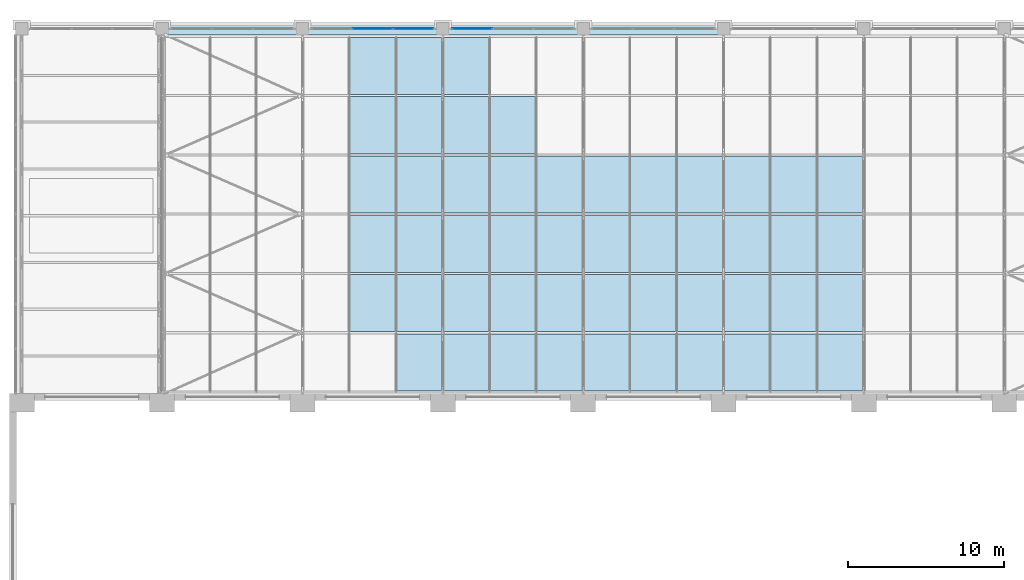
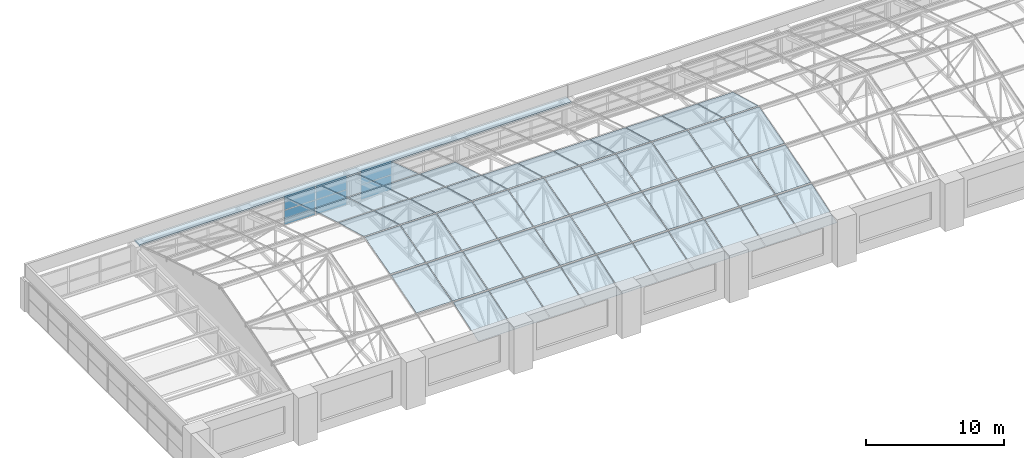
# One storey, part 47 of 82: 56 plates, 1 slab, 3 elements without a shape of their own.
"""IFC4 building model written with IfcOpenShell, lengths in metres."""

from ifc_helpers import new_model, si_unit, direction, frame, origin, origin_2d, place, context, subcontext, project, spatial, polyline, rectangle, outline, extrude, material, layer, layer_set, type_object, element, aggregate, save


model = new_model("IFC4")

# Units and contexts
model_context = context("Model", 3, precision=1e-05, world=origin(), true_north=direction((0.0, 1.0)))
body_context = subcontext(model_context, "Body", "Model", "MODEL_VIEW")
ifc_project = project(units=[si_unit("LENGTHUNIT", "METRE"), si_unit("AREAUNIT", "SQUARE_METRE"), si_unit("VOLUMEUNIT", "CUBIC_METRE"), si_unit("PLANEANGLEUNIT", "RADIAN"), si_unit("MASSUNIT", "GRAM", prefix="KILO")], contexts=[model_context])

# Site, building, storey
site_placement = place(None, origin())
site = spatial("IfcSite", under=ifc_project, at=site_placement, CompositionType="ELEMENT")
building_placement = place(site_placement, origin())
building = spatial("IfcBuilding", under=site, at=building_placement, Name="Aravalli Gate Trade Fair Centre", CompositionType="ELEMENT")
storey_placement = place(building_placement, frame((0.0, 0.0, 19.199951171875)))
storey = spatial("IfcBuildingStorey", under=building, at=storey_placement, Name="L04", CompositionType="ELEMENT", Elevation=19.199951171875)

# Slab
ifc_material_1 = material(Name="Concrete M30", Category="concrete")
ifc_layer_1 = layer(ifc_material_1, 0.1201171875, Name="Concrete topping")
ifc_material_2 = material(Name="Steel E350", Category="steel")
ifc_layer_2 = layer(ifc_material_2, 0.030029296875, Name="Profiled deck sheet")
ifc_layer_set_1 = layer_set([ifc_layer_1, ifc_layer_2], Name="Concourse roof deck 150")
slab_type = type_object("IfcSlabType", Name="Concourse roof deck 150", PredefinedType="ROOF", material=ifc_layer_set_1)
slab_placement = place(storey_placement, frame((0.0, 0.0, 2.699951171875)))
element("IfcSlab", 1, at=slab_placement, inside=storey, type_object=slab_type, Name="Concourse eaves deck 1", PredefinedType="ROOF", context=body_context, shape_type="SweptSolid", body=[
    extrude(outline(polyline([(14.89990234375, 132.60009765625), (50.97998046875, 132.60009765625), (50.97998046875, 133.39990234375), (14.89990234375, 133.39990234375), (14.89990234375, 132.60009765625)])), origin(), (0.0, 0.0, 1.0), 0.150146484375),
])

# Curtain wall, plates
ifc_material_3 = material(Name="Aluminium and glass", Category="aluminium")
curtain_wall_type_1 = type_object("IfcCurtainWallType", Name="Curtain wall 3000 module", PredefinedType="NOTDEFINED", material=ifc_material_3)
curtain_wall_1_placement = place(storey_placement, origin())
curtain_wall_1 = element("IfcCurtainWall", 2, at=curtain_wall_1_placement, inside=storey, type_object=curtain_wall_type_1, Name="Curtain wall north bay 3 L04", PredefinedType="NOTDEFINED")
ifc_material_4 = material(Name="Glass, double glazed", Category="glass")
ifc_layer_3 = layer(ifc_material_4, 0.028076171875)
ifc_layer_set_2 = layer_set([ifc_layer_3], Name="Glass, double glazed")
plate_type_1 = type_object("IfcPlateType", Name="Curtain wall panel, double glazed 28", PredefinedType="CURTAIN_PANEL", material=ifc_layer_set_2)
plate_1_placement = place(storey_placement, frame((28.5, 133.0, 0.06005859375), z_axis=(0.0, 0.0, 1.0), x_axis=(1.0, 0.0, 0.0)))
plate_1 = element("IfcPlate", 3, at=plate_1_placement, type_object=plate_type_1, Name="CW1 panel 2.1", PredefinedType="CURTAIN_PANEL", context=body_context, shape_type="SweptSolid", body=[
    extrude(rectangle(XDim=2.5732421875, YDim=0.028076171875, at=origin_2d()), origin(), (0.0, 0.0, 1.0), 1.260009765625),
])
plate_2_placement = place(storey_placement, frame((28.5, 133.0, 1.3798828125), z_axis=(0.0, 0.0, 1.0), x_axis=(1.0, 0.0, 0.0)))
plate_2 = element("IfcPlate", 4, at=plate_2_placement, type_object=plate_type_1, Name="CW1 panel 2.2", PredefinedType="CURTAIN_PANEL", context=body_context, shape_type="SweptSolid", body=[
    extrude(rectangle(XDim=2.5732421875, YDim=0.028076171875, at=origin_2d()), origin(), (0.0, 0.0, 1.0), 1.260009765625),
])
plate_3_placement = place(storey_placement, frame((31.118408203125, 133.0, 0.06005859375), z_axis=(0.0, 0.0, 1.0), x_axis=(1.0, 0.0, 0.0)))
plate_3 = element("IfcPlate", 5, at=plate_3_placement, type_object=plate_type_1, Name="CW1 panel 3.1", PredefinedType="CURTAIN_PANEL", context=body_context, shape_type="SweptSolid", body=[
    extrude(rectangle(XDim=2.543212890625, YDim=0.028076171875, at=origin_2d()), origin(), (0.0, 0.0, 1.0), 1.260009765625),
])
plate_4_placement = place(storey_placement, frame((31.118408203125, 133.0, 1.3798828125), z_axis=(0.0, 0.0, 1.0), x_axis=(1.0, 0.0, 0.0)))
plate_4 = element("IfcPlate", 6, at=plate_4_placement, type_object=plate_type_1, Name="CW1 panel 3.2", PredefinedType="CURTAIN_PANEL", context=body_context, shape_type="SweptSolid", body=[
    extrude(rectangle(XDim=2.543212890625, YDim=0.028076171875, at=origin_2d()), origin(), (0.0, 0.0, 1.0), 1.260009765625),
])
aggregate(curtain_wall_1, [plate_1, plate_2, plate_3, plate_4])

curtain_wall_2_placement = place(storey_placement, origin())
curtain_wall_2 = element("IfcCurtainWall", 7, at=curtain_wall_2_placement, inside=storey, type_object=curtain_wall_type_1, Name="Curtain wall north bay 4 L04", PredefinedType="NOTDEFINED")
plate_5_placement = place(storey_placement, frame((34.881591796875, 133.0, 0.06005859375), z_axis=(0.0, 0.0, 1.0), x_axis=(1.0, 0.0, 0.0)))
plate_5 = element("IfcPlate", 8, at=plate_5_placement, type_object=plate_type_1, Name="CW1 panel 1.1", PredefinedType="CURTAIN_PANEL", context=body_context, shape_type="SweptSolid", body=[
    extrude(rectangle(XDim=2.543212890625, YDim=0.028076171875, at=origin_2d()), origin(), (0.0, 0.0, 1.0), 1.260009765625),
])
plate_6_placement = place(storey_placement, frame((34.881591796875, 133.0, 1.3798828125), z_axis=(0.0, 0.0, 1.0), x_axis=(1.0, 0.0, 0.0)))
plate_6 = element("IfcPlate", 9, at=plate_6_placement, type_object=plate_type_1, Name="CW1 panel 1.2", PredefinedType="CURTAIN_PANEL", context=body_context, shape_type="SweptSolid", body=[
    extrude(rectangle(XDim=2.543212890625, YDim=0.028076171875, at=origin_2d()), origin(), (0.0, 0.0, 1.0), 1.260009765625),
])
aggregate(curtain_wall_2, [plate_5, plate_6])

curtain_wall_type_2 = type_object("IfcCurtainWallType", Name="Vault curtain wall, sloped glazing", PredefinedType="NOTDEFINED", material=ifc_material_3)
curtain_wall_3_placement = place(storey_placement, origin())
curtain_wall_3 = element("IfcCurtainWall", 10, at=curtain_wall_3_placement, inside=storey, type_object=curtain_wall_type_2, Name="Vault curtain wall w", PredefinedType="NOTDEFINED")
ifc_material_5 = material(Name="Glass, laminated double glazed", Category="glass")
ifc_layer_4 = layer(ifc_material_5, 0.028076171875)
ifc_layer_set_3 = layer_set([ifc_layer_4], Name="Glass, laminated double glazed")
plate_type_2 = type_object("IfcPlateType", Name="Vault glazing panel, facet class 1", PredefinedType="CURTAIN_PANEL", material=ifc_layer_set_3)
plate_7_placement = place(storey_placement, frame((27.030029296875, 128.77001953125, 4.0771484375), z_axis=(0.0, 0.312518472278, 0.949911682466), x_axis=(1.0, 0.0, 0.0)))
plate_7 = element("IfcPlate", 11, at=plate_7_placement, type_object=plate_type_2, Name="Vault glazing w5.6", PredefinedType="CURTAIN_PANEL", context=body_context, shape_type="SweptSolid", body=[
    extrude(outline(polyline([(0.0, 0.0), (2.93994140625, 0.0), (2.93994140625, 3.852897250273449), (0.0, 3.852897250273449), (0.0, 0.0)])), origin(), (0.0, 0.0, -1.0), 0.028076171875),
])
plate_8_placement = place(storey_placement, frame((30.030029296875, 109.77001953125, 2.873046875), z_axis=(0.0, -0.312518472278, 0.949911682466), x_axis=(1.0, 0.0, 0.0)))
plate_8 = element("IfcPlate", 12, at=plate_8_placement, type_object=plate_type_2, Name="Vault glazing w6.1", PredefinedType="CURTAIN_PANEL", context=body_context, shape_type="SweptSolid", body=[
    extrude(outline(polyline([(0.0, 0.0), (2.93994140625, 0.0), (2.93994140625, 3.852897250273449), (0.0, 3.852897250273449), (0.0, 0.0)])), origin(), (0.0, 0.0, -1.0), 0.028076171875),
])
plate_9_placement = place(storey_placement, frame((30.030029296875, 128.77001953125, 4.0771484375), z_axis=(0.0, 0.312518472278, 0.949911682466), x_axis=(1.0, 0.0, 0.0)))
plate_9 = element("IfcPlate", 13, at=plate_9_placement, type_object=plate_type_2, Name="Vault glazing w6.6", PredefinedType="CURTAIN_PANEL", context=body_context, shape_type="SweptSolid", body=[
    extrude(outline(polyline([(0.0, 0.0), (2.93994140625, 0.0), (2.93994140625, 3.852897250273449), (0.0, 3.852897250273449), (0.0, 0.0)])), origin(), (0.0, 0.0, -1.0), 0.028076171875),
])
plate_10_placement = place(storey_placement, frame((33.030029296875, 109.77001953125, 2.873046875), z_axis=(0.0, -0.312518472278, 0.949911682466), x_axis=(1.0, 0.0, 0.0)))
plate_10 = element("IfcPlate", 14, at=plate_10_placement, type_object=plate_type_2, Name="Vault glazing w7.1", PredefinedType="CURTAIN_PANEL", context=body_context, shape_type="SweptSolid", body=[
    extrude(outline(polyline([(0.0, 0.0), (2.93994140625, 0.0), (2.93994140625, 3.852897250273449), (0.0, 3.852897250273449), (0.0, 0.0)])), origin(), (0.0, 0.0, -1.0), 0.028076171875),
])
plate_11_placement = place(storey_placement, frame((33.030029296875, 128.77001953125, 4.0771484375), z_axis=(0.0, 0.312518472278, 0.949911682466), x_axis=(1.0, 0.0, 0.0)))
plate_11 = element("IfcPlate", 15, at=plate_11_placement, type_object=plate_type_2, Name="Vault glazing w7.6", PredefinedType="CURTAIN_PANEL", context=body_context, shape_type="SweptSolid", body=[
    extrude(outline(polyline([(0.0, 0.0), (2.93994140625, 0.0), (2.93994140625, 3.852897250273449), (0.0, 3.852897250273449), (0.0, 0.0)])), origin(), (0.0, 0.0, -1.0), 0.028076171875),
])
plate_12_placement = place(storey_placement, frame((36.030029296875, 109.77001953125, 2.873046875), z_axis=(0.0, -0.312518472278, 0.949911682466), x_axis=(1.0, 0.0, 0.0)))
plate_12 = element("IfcPlate", 16, at=plate_12_placement, type_object=plate_type_2, Name="Vault glazing w8.1", PredefinedType="CURTAIN_PANEL", context=body_context, shape_type="SweptSolid", body=[
    extrude(outline(polyline([(0.0, 0.0), (2.93994140625, 0.0), (2.93994140625, 3.852897250273449), (0.0, 3.852897250273449), (0.0, 0.0)])), origin(), (0.0, 0.0, -1.0), 0.028076171875),
])
plate_13_placement = place(storey_placement, frame((39.030029296875, 109.77001953125, 2.873046875), z_axis=(0.0, -0.312518472278, 0.949911682466), x_axis=(1.0, 0.0, 0.0)))
plate_13 = element("IfcPlate", 17, at=plate_13_placement, type_object=plate_type_2, Name="Vault glazing w9.1", PredefinedType="CURTAIN_PANEL", context=body_context, shape_type="SweptSolid", body=[
    extrude(outline(polyline([(0.0, 0.0), (2.93994140625, 0.0), (2.93994140625, 3.852897250273449), (0.0, 3.852897250273449), (0.0, 0.0)])), origin(), (0.0, 0.0, -1.0), 0.028076171875),
])
plate_14_placement = place(storey_placement, frame((42.030029296875, 109.77001953125, 2.873046875), z_axis=(0.0, -0.312518472278, 0.949911682466), x_axis=(1.0, 0.0, 0.0)))
plate_14 = element("IfcPlate", 18, at=plate_14_placement, type_object=plate_type_2, Name="Vault glazing w10.1", PredefinedType="CURTAIN_PANEL", context=body_context, shape_type="SweptSolid", body=[
    extrude(outline(polyline([(0.0, 0.0), (2.93994140625, 0.0), (2.93994140625, 3.852897250273449), (0.0, 3.852897250273449), (0.0, 0.0)])), origin(), (0.0, 0.0, -1.0), 0.028076171875),
])
plate_15_placement = place(storey_placement, frame((45.030029296875, 109.77001953125, 2.873046875), z_axis=(0.0, -0.312518472278, 0.949911682466), x_axis=(1.0, 0.0, 0.0)))
plate_15 = element("IfcPlate", 19, at=plate_15_placement, type_object=plate_type_2, Name="Vault glazing w11.1", PredefinedType="CURTAIN_PANEL", context=body_context, shape_type="SweptSolid", body=[
    extrude(outline(polyline([(0.0, 0.0), (2.93994140625, 0.0), (2.93994140625, 3.852897250273449), (0.0, 3.852897250273449), (0.0, 0.0)])), origin(), (0.0, 0.0, -1.0), 0.028076171875),
])
plate_16_placement = place(storey_placement, frame((48.030029296875, 109.77001953125, 2.873046875), z_axis=(0.0, -0.312518472278, 0.949911682466), x_axis=(1.0, 0.0, 0.0)))
plate_16 = element("IfcPlate", 20, at=plate_16_placement, type_object=plate_type_2, Name="Vault glazing w12.1", PredefinedType="CURTAIN_PANEL", context=body_context, shape_type="SweptSolid", body=[
    extrude(outline(polyline([(0.0, 0.0), (2.93994140625, 0.0), (2.93994140625, 3.852897250273449), (0.0, 3.852897250273449), (0.0, 0.0)])), origin(), (0.0, 0.0, -1.0), 0.028076171875),
])
plate_17_placement = place(storey_placement, frame((51.030029296875, 109.77001953125, 2.873046875), z_axis=(0.0, -0.312518472278, 0.949911682466), x_axis=(1.0, 0.0, 0.0)))
plate_17 = element("IfcPlate", 21, at=plate_17_placement, type_object=plate_type_2, Name="Vault glazing w13.1", PredefinedType="CURTAIN_PANEL", context=body_context, shape_type="SweptSolid", body=[
    extrude(outline(polyline([(0.0, 0.0), (2.93994140625, 0.0), (2.93994140625, 3.852897250273449), (0.0, 3.852897250273449), (0.0, 0.0)])), origin(), (0.0, 0.0, -1.0), 0.028076171875),
])
plate_18_placement = place(storey_placement, frame((54.030029296875, 109.77001953125, 2.873046875), z_axis=(0.0, -0.312518472278, 0.949911682466), x_axis=(1.0, 0.0, 0.0)))
plate_18 = element("IfcPlate", 22, at=plate_18_placement, type_object=plate_type_2, Name="Vault glazing w14.1", PredefinedType="CURTAIN_PANEL", context=body_context, shape_type="SweptSolid", body=[
    extrude(outline(polyline([(0.0, 0.0), (2.93994140625, 0.0), (2.93994140625, 3.852897250273449), (0.0, 3.852897250273449), (0.0, 0.0)])), origin(), (0.0, 0.0, -1.0), 0.028076171875),
])
plate_19_placement = place(storey_placement, frame((57.030029296875, 109.77001953125, 2.873046875), z_axis=(0.0, -0.312518472278, 0.949911682466), x_axis=(1.0, 0.0, 0.0)))
plate_19 = element("IfcPlate", 23, at=plate_19_placement, type_object=plate_type_2, Name="Vault glazing w15.1", PredefinedType="CURTAIN_PANEL", context=body_context, shape_type="SweptSolid", body=[
    extrude(outline(polyline([(0.0, 0.0), (2.93994140625, 0.0), (2.93994140625, 3.852897250273449), (0.0, 3.852897250273449), (0.0, 0.0)])), origin(), (0.0, 0.0, -1.0), 0.028076171875),
])
ifc_layer_5 = layer(ifc_material_5, 0.028076171875)
ifc_layer_set_4 = layer_set([ifc_layer_5], Name="Glass, laminated double glazed")
plate_type_3 = type_object("IfcPlateType", Name="Vault glazing panel, facet class 2", PredefinedType="CURTAIN_PANEL", material=ifc_layer_set_4)
plate_20_placement = place(storey_placement, frame((27.030029296875, 113.570068359375, 4.121337890625), z_axis=(0.0, -0.289613973345, 0.957143534922), x_axis=(1.0, 0.0, 0.0)))
plate_20 = element("IfcPlate", 24, at=plate_20_placement, type_object=plate_type_3, Name="Vault glazing w5.2", PredefinedType="CURTAIN_PANEL", context=body_context, shape_type="SweptSolid", body=[
    extrude(outline(polyline([(0.0, 0.0), (2.93994140625, 0.0), (2.93994140625, 3.8237860632595906), (0.0, 3.8237860632595906), (0.0, 0.0)])), origin(), (0.0, 0.0, -1.0), 0.028076171875),
])
plate_21_placement = place(storey_placement, frame((27.030029296875, 124.969970703125, 5.228759765625), z_axis=(0.0, 0.289613973345, 0.957143534922), x_axis=(1.0, 0.0, 0.0)))
plate_21 = element("IfcPlate", 25, at=plate_21_placement, type_object=plate_type_3, Name="Vault glazing w5.5", PredefinedType="CURTAIN_PANEL", context=body_context, shape_type="SweptSolid", body=[
    extrude(outline(polyline([(0.0, 0.0), (2.93994140625, 0.0), (2.93994140625, 3.8237860632595906), (0.0, 3.8237860632595906), (0.0, 0.0)])), origin(), (0.0, 0.0, -1.0), 0.028076171875),
])
plate_22_placement = place(storey_placement, frame((30.030029296875, 113.570068359375, 4.121337890625), z_axis=(0.0, -0.289613973345, 0.957143534922), x_axis=(1.0, 0.0, 0.0)))
plate_22 = element("IfcPlate", 26, at=plate_22_placement, type_object=plate_type_3, Name="Vault glazing w6.2", PredefinedType="CURTAIN_PANEL", context=body_context, shape_type="SweptSolid", body=[
    extrude(outline(polyline([(0.0, 0.0), (2.93994140625, 0.0), (2.93994140625, 3.8237860632595906), (0.0, 3.8237860632595906), (0.0, 0.0)])), origin(), (0.0, 0.0, -1.0), 0.028076171875),
])
plate_23_placement = place(storey_placement, frame((30.030029296875, 124.969970703125, 5.228759765625), z_axis=(0.0, 0.289613973345, 0.957143534922), x_axis=(1.0, 0.0, 0.0)))
plate_23 = element("IfcPlate", 27, at=plate_23_placement, type_object=plate_type_3, Name="Vault glazing w6.5", PredefinedType="CURTAIN_PANEL", context=body_context, shape_type="SweptSolid", body=[
    extrude(outline(polyline([(0.0, 0.0), (2.93994140625, 0.0), (2.93994140625, 3.8237860632595906), (0.0, 3.8237860632595906), (0.0, 0.0)])), origin(), (0.0, 0.0, -1.0), 0.028076171875),
])
plate_24_placement = place(storey_placement, frame((33.030029296875, 113.570068359375, 4.121337890625), z_axis=(0.0, -0.289613973345, 0.957143534922), x_axis=(1.0, 0.0, 0.0)))
plate_24 = element("IfcPlate", 28, at=plate_24_placement, type_object=plate_type_3, Name="Vault glazing w7.2", PredefinedType="CURTAIN_PANEL", context=body_context, shape_type="SweptSolid", body=[
    extrude(outline(polyline([(0.0, 0.0), (2.93994140625, 0.0), (2.93994140625, 3.8237860632595906), (0.0, 3.8237860632595906), (0.0, 0.0)])), origin(), (0.0, 0.0, -1.0), 0.028076171875),
])
plate_25_placement = place(storey_placement, frame((33.030029296875, 124.969970703125, 5.228759765625), z_axis=(0.0, 0.289613973345, 0.957143534922), x_axis=(1.0, 0.0, 0.0)))
plate_25 = element("IfcPlate", 29, at=plate_25_placement, type_object=plate_type_3, Name="Vault glazing w7.5", PredefinedType="CURTAIN_PANEL", context=body_context, shape_type="SweptSolid", body=[
    extrude(outline(polyline([(0.0, 0.0), (2.93994140625, 0.0), (2.93994140625, 3.8237860632595906), (0.0, 3.8237860632595906), (0.0, 0.0)])), origin(), (0.0, 0.0, -1.0), 0.028076171875),
])
plate_26_placement = place(storey_placement, frame((36.030029296875, 113.570068359375, 4.121337890625), z_axis=(0.0, -0.289613973345, 0.957143534922), x_axis=(1.0, 0.0, 0.0)))
plate_26 = element("IfcPlate", 30, at=plate_26_placement, type_object=plate_type_3, Name="Vault glazing w8.2", PredefinedType="CURTAIN_PANEL", context=body_context, shape_type="SweptSolid", body=[
    extrude(outline(polyline([(0.0, 0.0), (2.93994140625, 0.0), (2.93994140625, 3.8237860632595906), (0.0, 3.8237860632595906), (0.0, 0.0)])), origin(), (0.0, 0.0, -1.0), 0.028076171875),
])
plate_27_placement = place(storey_placement, frame((36.030029296875, 124.969970703125, 5.228759765625), z_axis=(0.0, 0.289613973345, 0.957143534922), x_axis=(1.0, 0.0, 0.0)))
plate_27 = element("IfcPlate", 31, at=plate_27_placement, type_object=plate_type_3, Name="Vault glazing w8.5", PredefinedType="CURTAIN_PANEL", context=body_context, shape_type="SweptSolid", body=[
    extrude(outline(polyline([(0.0, 0.0), (2.93994140625, 0.0), (2.93994140625, 3.8237860632595906), (0.0, 3.8237860632595906), (0.0, 0.0)])), origin(), (0.0, 0.0, -1.0), 0.028076171875),
])
plate_28_placement = place(storey_placement, frame((39.030029296875, 113.570068359375, 4.121337890625), z_axis=(0.0, -0.289613973345, 0.957143534922), x_axis=(1.0, 0.0, 0.0)))
plate_28 = element("IfcPlate", 32, at=plate_28_placement, type_object=plate_type_3, Name="Vault glazing w9.2", PredefinedType="CURTAIN_PANEL", context=body_context, shape_type="SweptSolid", body=[
    extrude(outline(polyline([(0.0, 0.0), (2.93994140625, 0.0), (2.93994140625, 3.8237860632595906), (0.0, 3.8237860632595906), (0.0, 0.0)])), origin(), (0.0, 0.0, -1.0), 0.028076171875),
])
plate_29_placement = place(storey_placement, frame((42.030029296875, 113.570068359375, 4.121337890625), z_axis=(0.0, -0.289613973345, 0.957143534922), x_axis=(1.0, 0.0, 0.0)))
plate_29 = element("IfcPlate", 33, at=plate_29_placement, type_object=plate_type_3, Name="Vault glazing w10.2", PredefinedType="CURTAIN_PANEL", context=body_context, shape_type="SweptSolid", body=[
    extrude(outline(polyline([(0.0, 0.0), (2.93994140625, 0.0), (2.93994140625, 3.8237860632595906), (0.0, 3.8237860632595906), (0.0, 0.0)])), origin(), (0.0, 0.0, -1.0), 0.028076171875),
])
plate_30_placement = place(storey_placement, frame((45.030029296875, 113.570068359375, 4.121337890625), z_axis=(0.0, -0.289613973345, 0.957143534922), x_axis=(1.0, 0.0, 0.0)))
plate_30 = element("IfcPlate", 34, at=plate_30_placement, type_object=plate_type_3, Name="Vault glazing w11.2", PredefinedType="CURTAIN_PANEL", context=body_context, shape_type="SweptSolid", body=[
    extrude(outline(polyline([(0.0, 0.0), (2.93994140625, 0.0), (2.93994140625, 3.8237860632595906), (0.0, 3.8237860632595906), (0.0, 0.0)])), origin(), (0.0, 0.0, -1.0), 0.028076171875),
])
plate_31_placement = place(storey_placement, frame((48.030029296875, 113.570068359375, 4.121337890625), z_axis=(0.0, -0.289613973345, 0.957143534922), x_axis=(1.0, 0.0, 0.0)))
plate_31 = element("IfcPlate", 35, at=plate_31_placement, type_object=plate_type_3, Name="Vault glazing w12.2", PredefinedType="CURTAIN_PANEL", context=body_context, shape_type="SweptSolid", body=[
    extrude(outline(polyline([(0.0, 0.0), (2.93994140625, 0.0), (2.93994140625, 3.8237860632595906), (0.0, 3.8237860632595906), (0.0, 0.0)])), origin(), (0.0, 0.0, -1.0), 0.028076171875),
])
plate_32_placement = place(storey_placement, frame((51.030029296875, 113.570068359375, 4.121337890625), z_axis=(0.0, -0.289613973345, 0.957143534922), x_axis=(1.0, 0.0, 0.0)))
plate_32 = element("IfcPlate", 36, at=plate_32_placement, type_object=plate_type_3, Name="Vault glazing w13.2", PredefinedType="CURTAIN_PANEL", context=body_context, shape_type="SweptSolid", body=[
    extrude(outline(polyline([(0.0, 0.0), (2.93994140625, 0.0), (2.93994140625, 3.8237860632595906), (0.0, 3.8237860632595906), (0.0, 0.0)])), origin(), (0.0, 0.0, -1.0), 0.028076171875),
])
plate_33_placement = place(storey_placement, frame((54.030029296875, 113.570068359375, 4.121337890625), z_axis=(0.0, -0.289613973345, 0.957143534922), x_axis=(1.0, 0.0, 0.0)))
plate_33 = element("IfcPlate", 37, at=plate_33_placement, type_object=plate_type_3, Name="Vault glazing w14.2", PredefinedType="CURTAIN_PANEL", context=body_context, shape_type="SweptSolid", body=[
    extrude(outline(polyline([(0.0, 0.0), (2.93994140625, 0.0), (2.93994140625, 3.8237860632595906), (0.0, 3.8237860632595906), (0.0, 0.0)])), origin(), (0.0, 0.0, -1.0), 0.028076171875),
])
plate_34_placement = place(storey_placement, frame((57.030029296875, 113.570068359375, 4.121337890625), z_axis=(0.0, -0.289613973345, 0.957143534922), x_axis=(1.0, 0.0, 0.0)))
plate_34 = element("IfcPlate", 38, at=plate_34_placement, type_object=plate_type_3, Name="Vault glazing w15.2", PredefinedType="CURTAIN_PANEL", context=body_context, shape_type="SweptSolid", body=[
    extrude(outline(polyline([(0.0, 0.0), (2.93994140625, 0.0), (2.93994140625, 3.8237860632595906), (0.0, 3.8237860632595906), (0.0, 0.0)])), origin(), (0.0, 0.0, -1.0), 0.028076171875),
])
ifc_layer_6 = layer(ifc_material_5, 0.028076171875)
ifc_layer_set_5 = layer_set([ifc_layer_6], Name="Glass, laminated double glazed")
plate_type_4 = type_object("IfcPlateType", Name="Vault glazing panel, facet class 3", PredefinedType="CURTAIN_PANEL", material=ifc_layer_set_5)
plate_35_placement = place(storey_placement, frame((27.030029296875, 117.3701171875, 5.269287109375), z_axis=(0.0, -0.266380180859, 0.96386804037), x_axis=(1.0, 0.0, 0.0)))
plate_35 = element("IfcPlate", 39, at=plate_35_placement, type_object=plate_type_4, Name="Vault glazing w5.3", PredefinedType="CURTAIN_PANEL", context=body_context, shape_type="SweptSolid", body=[
    extrude(outline(polyline([(0.0, 0.0), (2.93994140625, 0.0), (2.93994140625, 3.7971091021670778), (0.0, 3.7971091021670778), (0.0, 0.0)])), origin(), (0.0, 0.0, -1.0), 0.028076171875),
])
plate_36_placement = place(storey_placement, frame((27.030029296875, 121.169921875, 6.28076171875), z_axis=(0.0, 0.266363673386, 0.963872602318), x_axis=(1.0, 0.0, 0.0)))
plate_36 = element("IfcPlate", 40, at=plate_36_placement, type_object=plate_type_4, Name="Vault glazing w5.4", PredefinedType="CURTAIN_PANEL", context=body_context, shape_type="SweptSolid", body=[
    extrude(outline(polyline([(0.0, 0.0), (2.93994140625, 0.0), (2.93994140625, 3.797344422069767), (0.0, 3.797344422069767), (0.0, 0.0)])), origin(), (0.0, 0.0, -1.0), 0.028076171875),
])
plate_37_placement = place(storey_placement, frame((30.030029296875, 117.3701171875, 5.269287109375), z_axis=(0.0, -0.266380180859, 0.96386804037), x_axis=(1.0, 0.0, 0.0)))
plate_37 = element("IfcPlate", 41, at=plate_37_placement, type_object=plate_type_4, Name="Vault glazing w6.3", PredefinedType="CURTAIN_PANEL", context=body_context, shape_type="SweptSolid", body=[
    extrude(outline(polyline([(0.0, 0.0), (2.93994140625, 0.0), (2.93994140625, 3.7971091021670778), (0.0, 3.7971091021670778), (0.0, 0.0)])), origin(), (0.0, 0.0, -1.0), 0.028076171875),
])
plate_38_placement = place(storey_placement, frame((30.030029296875, 121.169921875, 6.28076171875), z_axis=(0.0, 0.266363673386, 0.963872602318), x_axis=(1.0, 0.0, 0.0)))
plate_38 = element("IfcPlate", 42, at=plate_38_placement, type_object=plate_type_4, Name="Vault glazing w6.4", PredefinedType="CURTAIN_PANEL", context=body_context, shape_type="SweptSolid", body=[
    extrude(outline(polyline([(0.0, 0.0), (2.93994140625, 0.0), (2.93994140625, 3.797344422069767), (0.0, 3.797344422069767), (0.0, 0.0)])), origin(), (0.0, 0.0, -1.0), 0.028076171875),
])
plate_39_placement = place(storey_placement, frame((33.030029296875, 117.3701171875, 5.269287109375), z_axis=(0.0, -0.266380180859, 0.96386804037), x_axis=(1.0, 0.0, 0.0)))
plate_39 = element("IfcPlate", 43, at=plate_39_placement, type_object=plate_type_4, Name="Vault glazing w7.3", PredefinedType="CURTAIN_PANEL", context=body_context, shape_type="SweptSolid", body=[
    extrude(outline(polyline([(0.0, 0.0), (2.93994140625, 0.0), (2.93994140625, 3.7971091021670778), (0.0, 3.7971091021670778), (0.0, 0.0)])), origin(), (0.0, 0.0, -1.0), 0.028076171875),
])
plate_40_placement = place(storey_placement, frame((33.030029296875, 121.169921875, 6.28076171875), z_axis=(0.0, 0.266363673386, 0.963872602318), x_axis=(1.0, 0.0, 0.0)))
plate_40 = element("IfcPlate", 44, at=plate_40_placement, type_object=plate_type_4, Name="Vault glazing w7.4", PredefinedType="CURTAIN_PANEL", context=body_context, shape_type="SweptSolid", body=[
    extrude(outline(polyline([(0.0, 0.0), (2.93994140625, 0.0), (2.93994140625, 3.797344422069767), (0.0, 3.797344422069767), (0.0, 0.0)])), origin(), (0.0, 0.0, -1.0), 0.028076171875),
])
plate_41_placement = place(storey_placement, frame((36.030029296875, 117.3701171875, 5.269287109375), z_axis=(0.0, -0.266380180859, 0.96386804037), x_axis=(1.0, 0.0, 0.0)))
plate_41 = element("IfcPlate", 45, at=plate_41_placement, type_object=plate_type_4, Name="Vault glazing w8.3", PredefinedType="CURTAIN_PANEL", context=body_context, shape_type="SweptSolid", body=[
    extrude(outline(polyline([(0.0, 0.0), (2.93994140625, 0.0), (2.93994140625, 3.7971091021670778), (0.0, 3.7971091021670778), (0.0, 0.0)])), origin(), (0.0, 0.0, -1.0), 0.028076171875),
])
plate_42_placement = place(storey_placement, frame((36.030029296875, 121.169921875, 6.28076171875), z_axis=(0.0, 0.266363673386, 0.963872602318), x_axis=(1.0, 0.0, 0.0)))
plate_42 = element("IfcPlate", 46, at=plate_42_placement, type_object=plate_type_4, Name="Vault glazing w8.4", PredefinedType="CURTAIN_PANEL", context=body_context, shape_type="SweptSolid", body=[
    extrude(outline(polyline([(0.0, 0.0), (2.93994140625, 0.0), (2.93994140625, 3.797344422069767), (0.0, 3.797344422069767), (0.0, 0.0)])), origin(), (0.0, 0.0, -1.0), 0.028076171875),
])
plate_43_placement = place(storey_placement, frame((39.030029296875, 117.3701171875, 5.269287109375), z_axis=(0.0, -0.266380180859, 0.96386804037), x_axis=(1.0, 0.0, 0.0)))
plate_43 = element("IfcPlate", 47, at=plate_43_placement, type_object=plate_type_4, Name="Vault glazing w9.3", PredefinedType="CURTAIN_PANEL", context=body_context, shape_type="SweptSolid", body=[
    extrude(outline(polyline([(0.0, 0.0), (2.93994140625, 0.0), (2.93994140625, 3.7971091021670778), (0.0, 3.7971091021670778), (0.0, 0.0)])), origin(), (0.0, 0.0, -1.0), 0.028076171875),
])
plate_44_placement = place(storey_placement, frame((39.030029296875, 121.169921875, 6.28076171875), z_axis=(0.0, 0.266363673386, 0.963872602318), x_axis=(1.0, 0.0, 0.0)))
plate_44 = element("IfcPlate", 48, at=plate_44_placement, type_object=plate_type_4, Name="Vault glazing w9.4", PredefinedType="CURTAIN_PANEL", context=body_context, shape_type="SweptSolid", body=[
    extrude(outline(polyline([(0.0, 0.0), (2.93994140625, 0.0), (2.93994140625, 3.797344422069767), (0.0, 3.797344422069767), (0.0, 0.0)])), origin(), (0.0, 0.0, -1.0), 0.028076171875),
])
plate_45_placement = place(storey_placement, frame((42.030029296875, 117.3701171875, 5.269287109375), z_axis=(0.0, -0.266380180859, 0.96386804037), x_axis=(1.0, 0.0, 0.0)))
plate_45 = element("IfcPlate", 49, at=plate_45_placement, type_object=plate_type_4, Name="Vault glazing w10.3", PredefinedType="CURTAIN_PANEL", context=body_context, shape_type="SweptSolid", body=[
    extrude(outline(polyline([(0.0, 0.0), (2.93994140625, 0.0), (2.93994140625, 3.7971091021670778), (0.0, 3.7971091021670778), (0.0, 0.0)])), origin(), (0.0, 0.0, -1.0), 0.028076171875),
])
plate_46_placement = place(storey_placement, frame((42.030029296875, 121.169921875, 6.28076171875), z_axis=(0.0, 0.266363673386, 0.963872602318), x_axis=(1.0, 0.0, 0.0)))
plate_46 = element("IfcPlate", 50, at=plate_46_placement, type_object=plate_type_4, Name="Vault glazing w10.4", PredefinedType="CURTAIN_PANEL", context=body_context, shape_type="SweptSolid", body=[
    extrude(outline(polyline([(0.0, 0.0), (2.93994140625, 0.0), (2.93994140625, 3.797344422069767), (0.0, 3.797344422069767), (0.0, 0.0)])), origin(), (0.0, 0.0, -1.0), 0.028076171875),
])
plate_47_placement = place(storey_placement, frame((45.030029296875, 117.3701171875, 5.269287109375), z_axis=(0.0, -0.266380180859, 0.96386804037), x_axis=(1.0, 0.0, 0.0)))
plate_47 = element("IfcPlate", 51, at=plate_47_placement, type_object=plate_type_4, Name="Vault glazing w11.3", PredefinedType="CURTAIN_PANEL", context=body_context, shape_type="SweptSolid", body=[
    extrude(outline(polyline([(0.0, 0.0), (2.93994140625, 0.0), (2.93994140625, 3.7971091021670778), (0.0, 3.7971091021670778), (0.0, 0.0)])), origin(), (0.0, 0.0, -1.0), 0.028076171875),
])
plate_48_placement = place(storey_placement, frame((45.030029296875, 121.169921875, 6.28076171875), z_axis=(0.0, 0.266363673386, 0.963872602318), x_axis=(1.0, 0.0, 0.0)))
plate_48 = element("IfcPlate", 52, at=plate_48_placement, type_object=plate_type_4, Name="Vault glazing w11.4", PredefinedType="CURTAIN_PANEL", context=body_context, shape_type="SweptSolid", body=[
    extrude(outline(polyline([(0.0, 0.0), (2.93994140625, 0.0), (2.93994140625, 3.797344422069767), (0.0, 3.797344422069767), (0.0, 0.0)])), origin(), (0.0, 0.0, -1.0), 0.028076171875),
])
plate_49_placement = place(storey_placement, frame((48.030029296875, 117.3701171875, 5.269287109375), z_axis=(0.0, -0.266380180859, 0.96386804037), x_axis=(1.0, 0.0, 0.0)))
plate_49 = element("IfcPlate", 53, at=plate_49_placement, type_object=plate_type_4, Name="Vault glazing w12.3", PredefinedType="CURTAIN_PANEL", context=body_context, shape_type="SweptSolid", body=[
    extrude(outline(polyline([(0.0, 0.0), (2.93994140625, 0.0), (2.93994140625, 3.7971091021670778), (0.0, 3.7971091021670778), (0.0, 0.0)])), origin(), (0.0, 0.0, -1.0), 0.028076171875),
])
plate_50_placement = place(storey_placement, frame((48.030029296875, 121.169921875, 6.28076171875), z_axis=(0.0, 0.266363673386, 0.963872602318), x_axis=(1.0, 0.0, 0.0)))
plate_50 = element("IfcPlate", 54, at=plate_50_placement, type_object=plate_type_4, Name="Vault glazing w12.4", PredefinedType="CURTAIN_PANEL", context=body_context, shape_type="SweptSolid", body=[
    extrude(outline(polyline([(0.0, 0.0), (2.93994140625, 0.0), (2.93994140625, 3.797344422069767), (0.0, 3.797344422069767), (0.0, 0.0)])), origin(), (0.0, 0.0, -1.0), 0.028076171875),
])
plate_51_placement = place(storey_placement, frame((51.030029296875, 117.3701171875, 5.269287109375), z_axis=(0.0, -0.266380180859, 0.96386804037), x_axis=(1.0, 0.0, 0.0)))
plate_51 = element("IfcPlate", 55, at=plate_51_placement, type_object=plate_type_4, Name="Vault glazing w13.3", PredefinedType="CURTAIN_PANEL", context=body_context, shape_type="SweptSolid", body=[
    extrude(outline(polyline([(0.0, 0.0), (2.93994140625, 0.0), (2.93994140625, 3.7971091021670778), (0.0, 3.7971091021670778), (0.0, 0.0)])), origin(), (0.0, 0.0, -1.0), 0.028076171875),
])
plate_52_placement = place(storey_placement, frame((51.030029296875, 121.169921875, 6.28076171875), z_axis=(0.0, 0.266363673386, 0.963872602318), x_axis=(1.0, 0.0, 0.0)))
plate_52 = element("IfcPlate", 56, at=plate_52_placement, type_object=plate_type_4, Name="Vault glazing w13.4", PredefinedType="CURTAIN_PANEL", context=body_context, shape_type="SweptSolid", body=[
    extrude(outline(polyline([(0.0, 0.0), (2.93994140625, 0.0), (2.93994140625, 3.797344422069767), (0.0, 3.797344422069767), (0.0, 0.0)])), origin(), (0.0, 0.0, -1.0), 0.028076171875),
])
plate_53_placement = place(storey_placement, frame((54.030029296875, 117.3701171875, 5.269287109375), z_axis=(0.0, -0.266380180859, 0.96386804037), x_axis=(1.0, 0.0, 0.0)))
plate_53 = element("IfcPlate", 57, at=plate_53_placement, type_object=plate_type_4, Name="Vault glazing w14.3", PredefinedType="CURTAIN_PANEL", context=body_context, shape_type="SweptSolid", body=[
    extrude(outline(polyline([(0.0, 0.0), (2.93994140625, 0.0), (2.93994140625, 3.7971091021670778), (0.0, 3.7971091021670778), (0.0, 0.0)])), origin(), (0.0, 0.0, -1.0), 0.028076171875),
])
plate_54_placement = place(storey_placement, frame((54.030029296875, 121.169921875, 6.28076171875), z_axis=(0.0, 0.266363673386, 0.963872602318), x_axis=(1.0, 0.0, 0.0)))
plate_54 = element("IfcPlate", 58, at=plate_54_placement, type_object=plate_type_4, Name="Vault glazing w14.4", PredefinedType="CURTAIN_PANEL", context=body_context, shape_type="SweptSolid", body=[
    extrude(outline(polyline([(0.0, 0.0), (2.93994140625, 0.0), (2.93994140625, 3.797344422069767), (0.0, 3.797344422069767), (0.0, 0.0)])), origin(), (0.0, 0.0, -1.0), 0.028076171875),
])
plate_55_placement = place(storey_placement, frame((57.030029296875, 117.3701171875, 5.269287109375), z_axis=(0.0, -0.266380180859, 0.96386804037), x_axis=(1.0, 0.0, 0.0)))
plate_55 = element("IfcPlate", 59, at=plate_55_placement, type_object=plate_type_4, Name="Vault glazing w15.3", PredefinedType="CURTAIN_PANEL", context=body_context, shape_type="SweptSolid", body=[
    extrude(outline(polyline([(0.0, 0.0), (2.93994140625, 0.0), (2.93994140625, 3.7971091021670778), (0.0, 3.7971091021670778), (0.0, 0.0)])), origin(), (0.0, 0.0, -1.0), 0.028076171875),
])
plate_56_placement = place(storey_placement, frame((57.030029296875, 121.169921875, 6.28076171875), z_axis=(0.0, 0.266363673386, 0.963872602318), x_axis=(1.0, 0.0, 0.0)))
plate_56 = element("IfcPlate", 60, at=plate_56_placement, type_object=plate_type_4, Name="Vault glazing w15.4", PredefinedType="CURTAIN_PANEL", context=body_context, shape_type="SweptSolid", body=[
    extrude(outline(polyline([(0.0, 0.0), (2.93994140625, 0.0), (2.93994140625, 3.797344422069767), (0.0, 3.797344422069767), (0.0, 0.0)])), origin(), (0.0, 0.0, -1.0), 0.028076171875),
])
aggregate(curtain_wall_3, [plate_20, plate_35, plate_36, plate_21, plate_7, plate_8, plate_22, plate_37, plate_38, plate_23, plate_9, plate_10, plate_24, plate_39, plate_40, plate_25, plate_11, plate_12, plate_26, plate_41, plate_42, plate_27, plate_13, plate_28, plate_43, plate_44, plate_14, plate_29, plate_45, plate_46, plate_15, plate_30, plate_47, plate_48, plate_16, plate_31, plate_49, plate_50, plate_17, plate_32, plate_51, plate_52, plate_18, plate_33, plate_53, plate_54, plate_19, plate_34, plate_55, plate_56])

save(model, "model.ifc")
